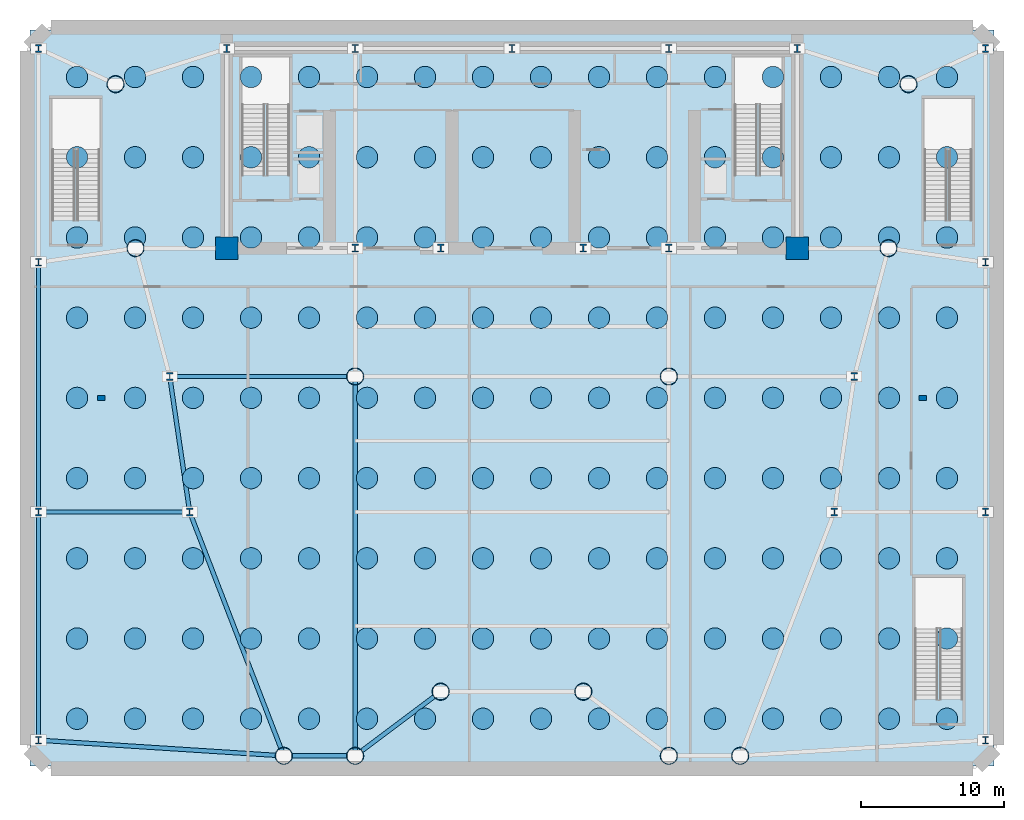
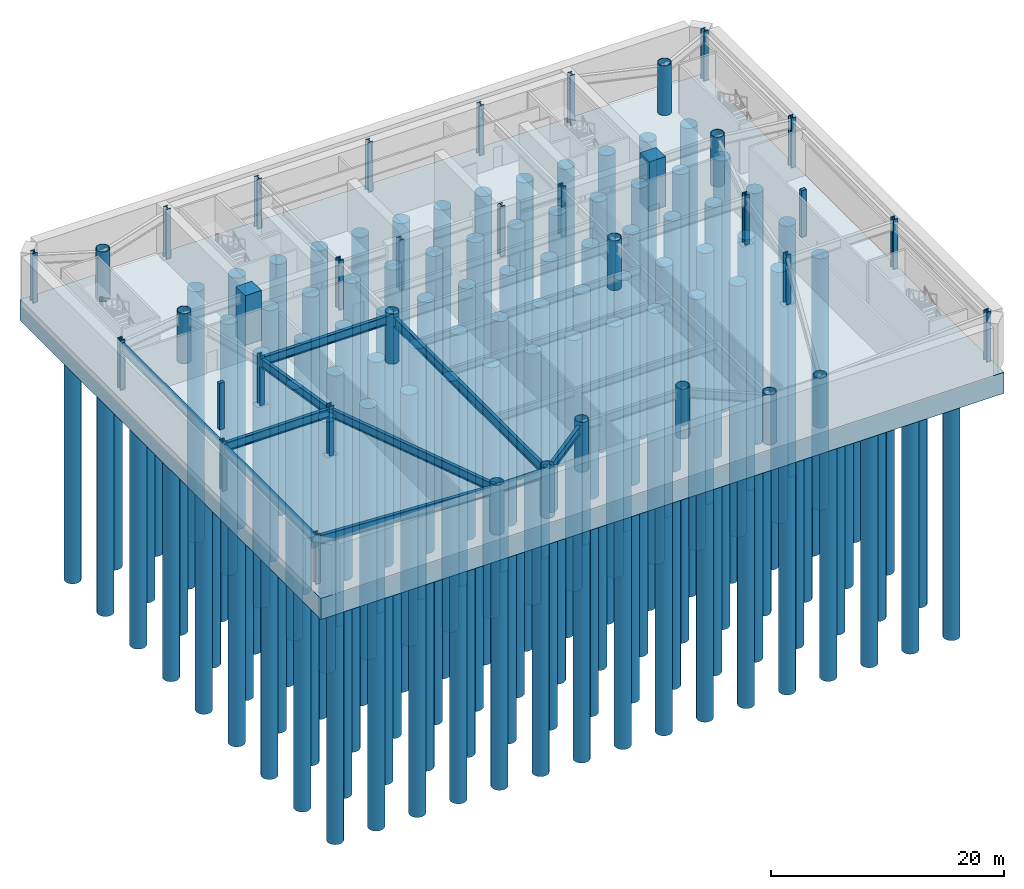
# One storey, part 1 of 11: 144 piles, 37 columns, 10 beams, 1 footing.
"""IFC4 building model written with IfcOpenShell, lengths in metres."""

from ifc_helpers import new_model, si_unit, direction, frame, origin, origin_2d, place, context, subcontext, project, spatial, rectangle, circle, hollow_circle, i_section, extrude, source, transform, mapped, material, material_profile, profile_set, type_object, element, save


model = new_model("IFC4")

# Units and contexts
model_context = context("Model", 3, precision=1e-05, world=origin(), true_north=direction((0.0, 1.0)))
body_context = subcontext(model_context, "Body", "Model", "MODEL_VIEW")
ifc_project = project(units=[si_unit("LENGTHUNIT", "METRE"), si_unit("AREAUNIT", "SQUARE_METRE"), si_unit("VOLUMEUNIT", "CUBIC_METRE"), si_unit("PLANEANGLEUNIT", "RADIAN"), si_unit("MASSUNIT", "GRAM", prefix="KILO")], contexts=[model_context])

# Site, building, storey
site_placement = place(None, origin())
site = spatial("IfcSite", under=ifc_project, at=site_placement, CompositionType="ELEMENT")
building_placement = place(site_placement, origin())
building = spatial("IfcBuilding", under=site, at=building_placement, Name="Vaeldorn Concourse Tower", CompositionType="ELEMENT")
storey_placement = place(building_placement, frame((0.0, 0.0, -15.60009765625)))
storey = spatial("IfcBuildingStorey", under=building, at=storey_placement, Name="B03", CompositionType="ELEMENT", Elevation=-15.60009765625)

# Piles
ifc_material_1 = material(Name="Concrete C50/60", Category="concrete")
ifc_material_profile_1 = material_profile(ifc_material_1, circle(Radius=0.75, at=origin_2d()), Name="BORED PILE D1500")
ifc_profile_set_1 = profile_set([ifc_material_profile_1], Name="Concrete C50/60")
pile_type = type_object("IfcPileType", Name="PILE-D1500", PredefinedType="BORED", material=ifc_profile_set_1)
for number, where, z_axis, x_axis, name in (
    (1, (3.5, 3.5, -2.5), (0.0, 0.0, -1.0), (1.0, 0.0, 0.0), "Bored Pile P001"),
    (2, (3.5, 9.125, -2.5), (0.0, 0.0, -1.0), (1.0, 0.0, 0.0), "Bored Pile P002"),
    (3, (3.5, 14.75, -2.5), (0.0, 0.0, -1.0), (1.0, 0.0, 0.0), "Bored Pile P003"),
    (4, (3.5, 20.375, -2.5), (0.0, 0.0, -1.0), (1.0, 0.0, 0.0), "Bored Pile P004"),
    (5, (3.5, 26.0, -2.5), (0.0, 0.0, -1.0), (1.0, 0.0, 0.0), "Bored Pile P005"),
    (6, (3.5, 31.625, -2.5), (0.0, 0.0, -1.0), (1.0, 0.0, 0.0), "Bored Pile P006"),
    (7, (3.5, 37.25, -2.5), (0.0, 0.0, -1.0), (1.0, 0.0, 0.0), "Bored Pile P007"),
    (8, (3.5, 42.875, -2.5), (0.0, 0.0, -1.0), (1.0, 0.0, 0.0), "Bored Pile P008"),
    (9, (3.5, 48.5, -2.5), (0.0, 0.0, -1.0), (1.0, 0.0, 0.0), "Bored Pile P009"),
    (10, (7.566650390625, 3.5, -2.5), (0.0, 0.0, -1.0), (1.0, 0.0, 0.0), "Bored Pile P010"),
    (11, (7.566650390625, 9.125, -2.5), (0.0, 0.0, -1.0), (1.0, 0.0, 0.0), "Bored Pile P011"),
    (12, (7.566650390625, 14.75, -2.5), (0.0, 0.0, -1.0), (1.0, 0.0, 0.0), "Bored Pile P012"),
    (13, (7.566650390625, 20.375, -2.5), (0.0, 0.0, -1.0), (1.0, 0.0, 0.0), "Bored Pile P013"),
    (14, (7.566650390625, 26.0, -2.5), (0.0, 0.0, -1.0), (1.0, 0.0, 0.0), "Bored Pile P014"),
    (15, (7.566650390625, 31.625, -2.5), (0.0, 0.0, -1.0), (1.0, 0.0, 0.0), "Bored Pile P015"),
    (16, (7.566650390625, 37.25, -2.5), (0.0, 0.0, -1.0), (1.0, 0.0, 0.0), "Bored Pile P016"),
    (17, (7.566650390625, 42.875, -2.5), (0.0, 0.0, -1.0), (1.0, 0.0, 0.0), "Bored Pile P017"),
    (18, (7.566650390625, 48.5, -2.5), (0.0, 0.0, -1.0), (1.0, 0.0, 0.0), "Bored Pile P018"),
    (19, (11.63330078125, 3.5, -2.5), (0.0, 0.0, -1.0), (1.0, 0.0, 0.0), "Bored Pile P019"),
    (20, (11.63330078125, 9.125, -2.5), (0.0, 0.0, -1.0), (1.0, 0.0, 0.0), "Bored Pile P020"),
    (21, (11.63330078125, 14.75, -2.5), (0.0, 0.0, -1.0), (1.0, 0.0, 0.0), "Bored Pile P021"),
    (22, (11.63330078125, 20.375, -2.5), (0.0, 0.0, -1.0), (1.0, 0.0, 0.0), "Bored Pile P022"),
    (23, (11.63330078125, 26.0, -2.5), (0.0, 0.0, -1.0), (1.0, 0.0, 0.0), "Bored Pile P023"),
    (24, (11.63330078125, 31.625, -2.5), (0.0, 0.0, -1.0), (1.0, 0.0, 0.0), "Bored Pile P024"),
    (25, (11.63330078125, 37.25, -2.5), (0.0, 0.0, -1.0), (1.0, 0.0, 0.0), "Bored Pile P025"),
    (26, (11.63330078125, 42.875, -2.5), (0.0, 0.0, -1.0), (1.0, 0.0, 0.0), "Bored Pile P026"),
    (27, (11.63330078125, 48.5, -2.5), (0.0, 0.0, -1.0), (1.0, 0.0, 0.0), "Bored Pile P027"),
    (28, (15.699951171875, 3.5, -2.5), (0.0, 0.0, -1.0), (1.0, 0.0, 0.0), "Bored Pile P028"),
    (29, (15.699951171875, 9.125, -2.5), (0.0, 0.0, -1.0), (1.0, 0.0, 0.0), "Bored Pile P029"),
    (30, (15.699951171875, 14.75, -2.5), (0.0, 0.0, -1.0), (1.0, 0.0, 0.0), "Bored Pile P030"),
    (31, (15.699951171875, 20.375, -2.5), (0.0, 0.0, -1.0), (1.0, 0.0, 0.0), "Bored Pile P031"),
    (32, (15.699951171875, 26.0, -2.5), (0.0, 0.0, -1.0), (1.0, 0.0, 0.0), "Bored Pile P032"),
    (33, (15.699951171875, 31.625, -2.5), (0.0, 0.0, -1.0), (1.0, 0.0, 0.0), "Bored Pile P033"),
    (34, (15.699951171875, 37.25, -2.5), (0.0, 0.0, -1.0), (1.0, 0.0, 0.0), "Bored Pile P034"),
    (35, (15.699951171875, 42.875, -2.5), (0.0, 0.0, -1.0), (1.0, 0.0, 0.0), "Bored Pile P035"),
    (36, (15.699951171875, 48.5, -2.5), (0.0, 0.0, -1.0), (1.0, 0.0, 0.0), "Bored Pile P036"),
    (37, (19.7666015625, 3.5, -2.5), (0.0, 0.0, -1.0), (1.0, 0.0, 0.0), "Bored Pile P037"),
    (38, (19.7666015625, 9.125, -2.5), (0.0, 0.0, -1.0), (1.0, 0.0, 0.0), "Bored Pile P038"),
    (39, (19.7666015625, 14.75, -2.5), (0.0, 0.0, -1.0), (1.0, 0.0, 0.0), "Bored Pile P039"),
    (40, (19.7666015625, 20.375, -2.5), (0.0, 0.0, -1.0), (1.0, 0.0, 0.0), "Bored Pile P040"),
    (41, (19.7666015625, 26.0, -2.5), (0.0, 0.0, -1.0), (1.0, 0.0, 0.0), "Bored Pile P041"),
    (42, (19.7666015625, 31.625, -2.5), (0.0, 0.0, -1.0), (1.0, 0.0, 0.0), "Bored Pile P042"),
    (43, (19.7666015625, 37.25, -2.5), (0.0, 0.0, -1.0), (1.0, 0.0, 0.0), "Bored Pile P043"),
    (44, (19.7666015625, 42.875, -2.5), (0.0, 0.0, -1.0), (1.0, 0.0, 0.0), "Bored Pile P044"),
    (45, (19.7666015625, 48.5, -2.5), (0.0, 0.0, -1.0), (1.0, 0.0, 0.0), "Bored Pile P045"),
    (46, (23.833251953125, 3.5, -2.5), (0.0, 0.0, -1.0), (1.0, 0.0, 0.0), "Bored Pile P046"),
    (47, (23.833251953125, 9.125, -2.5), (0.0, 0.0, -1.0), (1.0, 0.0, 0.0), "Bored Pile P047"),
    (48, (23.833251953125, 14.75, -2.5), (0.0, 0.0, -1.0), (1.0, 0.0, 0.0), "Bored Pile P048"),
    (49, (23.833251953125, 20.375, -2.5), (0.0, 0.0, -1.0), (1.0, 0.0, 0.0), "Bored Pile P049"),
    (50, (23.833251953125, 26.0, -2.5), (0.0, 0.0, -1.0), (1.0, 0.0, 0.0), "Bored Pile P050"),
    (51, (23.833251953125, 31.625, -2.5), (0.0, 0.0, -1.0), (1.0, 0.0, 0.0), "Bored Pile P051"),
    (52, (23.833251953125, 37.25, -2.5), (0.0, 0.0, -1.0), (1.0, 0.0, 0.0), "Bored Pile P052"),
    (53, (23.833251953125, 42.875, -2.5), (0.0, 0.0, -1.0), (1.0, 0.0, 0.0), "Bored Pile P053"),
    (54, (23.833251953125, 48.5, -2.5), (0.0, 0.0, -1.0), (1.0, 0.0, 0.0), "Bored Pile P054"),
    (55, (27.89990234375, 3.5, -2.5), (0.0, 0.0, -1.0), (1.0, 0.0, 0.0), "Bored Pile P055"),
    (56, (27.89990234375, 9.125, -2.5), (0.0, 0.0, -1.0), (1.0, 0.0, 0.0), "Bored Pile P056"),
    (57, (27.89990234375, 14.75, -2.5), (0.0, 0.0, -1.0), (1.0, 0.0, 0.0), "Bored Pile P057"),
    (58, (27.89990234375, 20.375, -2.5), (0.0, 0.0, -1.0), (1.0, 0.0, 0.0), "Bored Pile P058"),
    (59, (27.89990234375, 26.0, -2.5), (0.0, 0.0, -1.0), (1.0, 0.0, 0.0), "Bored Pile P059"),
    (60, (27.89990234375, 31.625, -2.5), (0.0, 0.0, -1.0), (1.0, 0.0, 0.0), "Bored Pile P060"),
    (61, (27.89990234375, 37.25, -2.5), (0.0, 0.0, -1.0), (1.0, 0.0, 0.0), "Bored Pile P061"),
    (62, (27.89990234375, 42.875, -2.5), (0.0, 0.0, -1.0), (1.0, 0.0, 0.0), "Bored Pile P062"),
    (63, (27.89990234375, 48.5, -2.5), (0.0, 0.0, -1.0), (1.0, 0.0, 0.0), "Bored Pile P063"),
    (64, (31.966796875, 3.5, -2.5), (0.0, 0.0, -1.0), (1.0, 0.0, 0.0), "Bored Pile P064"),
    (65, (31.966796875, 9.125, -2.5), (0.0, 0.0, -1.0), (1.0, 0.0, 0.0), "Bored Pile P065"),
    (66, (31.966796875, 14.75, -2.5), (0.0, 0.0, -1.0), (1.0, 0.0, 0.0), "Bored Pile P066"),
    (67, (31.966796875, 20.375, -2.5), (0.0, 0.0, -1.0), (1.0, 0.0, 0.0), "Bored Pile P067"),
    (68, (31.966796875, 26.0, -2.5), (0.0, 0.0, -1.0), (1.0, 0.0, 0.0), "Bored Pile P068"),
    (69, (31.966796875, 31.625, -2.5), (0.0, 0.0, -1.0), (1.0, 0.0, 0.0), "Bored Pile P069"),
    (70, (31.966796875, 37.25, -2.5), (0.0, 0.0, -1.0), (1.0, 0.0, 0.0), "Bored Pile P070"),
    (71, (31.966796875, 42.875, -2.5), (0.0, 0.0, -1.0), (1.0, 0.0, 0.0), "Bored Pile P071"),
    (72, (31.966796875, 48.5, -2.5), (0.0, 0.0, -1.0), (1.0, 0.0, 0.0), "Bored Pile P072"),
    (73, (36.033203125, 3.5, -2.5), (0.0, 0.0, -1.0), (1.0, 0.0, 0.0), "Bored Pile P073"),
    (74, (36.033203125, 9.125, -2.5), (0.0, 0.0, -1.0), (1.0, 0.0, 0.0), "Bored Pile P074"),
    (75, (36.033203125, 14.75, -2.5), (0.0, 0.0, -1.0), (1.0, 0.0, 0.0), "Bored Pile P075"),
    (76, (36.033203125, 20.375, -2.5), (0.0, 0.0, -1.0), (1.0, 0.0, 0.0), "Bored Pile P076"),
    (77, (36.033203125, 26.0, -2.5), (0.0, 0.0, -1.0), (1.0, 0.0, 0.0), "Bored Pile P077"),
    (78, (36.033203125, 31.625, -2.5), (0.0, 0.0, -1.0), (1.0, 0.0, 0.0), "Bored Pile P078"),
    (79, (36.033203125, 37.25, -2.5), (0.0, 0.0, -1.0), (1.0, 0.0, 0.0), "Bored Pile P079"),
    (80, (36.033203125, 42.875, -2.5), (0.0, 0.0, -1.0), (1.0, 0.0, 0.0), "Bored Pile P080"),
    (81, (36.033203125, 48.5, -2.5), (0.0, 0.0, -1.0), (1.0, 0.0, 0.0), "Bored Pile P081"),
    (82, (40.10009765625, 3.5, -2.5), (0.0, 0.0, -1.0), (1.0, 0.0, 0.0), "Bored Pile P082"),
    (83, (40.10009765625, 9.125, -2.5), (0.0, 0.0, -1.0), (1.0, 0.0, 0.0), "Bored Pile P083"),
    (84, (40.10009765625, 14.75, -2.5), (0.0, 0.0, -1.0), (1.0, 0.0, 0.0), "Bored Pile P084"),
    (85, (40.10009765625, 20.375, -2.5), (0.0, 0.0, -1.0), (1.0, 0.0, 0.0), "Bored Pile P085"),
    (86, (40.10009765625, 26.0, -2.5), (0.0, 0.0, -1.0), (1.0, 0.0, 0.0), "Bored Pile P086"),
    (87, (40.10009765625, 31.625, -2.5), (0.0, 0.0, -1.0), (1.0, 0.0, 0.0), "Bored Pile P087"),
    (88, (40.10009765625, 37.25, -2.5), (0.0, 0.0, -1.0), (1.0, 0.0, 0.0), "Bored Pile P088"),
    (89, (40.10009765625, 42.875, -2.5), (0.0, 0.0, -1.0), (1.0, 0.0, 0.0), "Bored Pile P089"),
    (90, (40.10009765625, 48.5, -2.5), (0.0, 0.0, -1.0), (1.0, 0.0, 0.0), "Bored Pile P090"),
    (91, (44.166748046875, 3.5, -2.5), (0.0, 0.0, -1.0), (1.0, 0.0, 0.0), "Bored Pile P091"),
    (92, (44.166748046875, 9.125, -2.5), (0.0, 0.0, -1.0), (1.0, 0.0, 0.0), "Bored Pile P092"),
    (93, (44.166748046875, 14.75, -2.5), (0.0, 0.0, -1.0), (1.0, 0.0, 0.0), "Bored Pile P093"),
    (94, (44.166748046875, 20.375, -2.5), (0.0, 0.0, -1.0), (1.0, 0.0, 0.0), "Bored Pile P094"),
    (95, (44.166748046875, 26.0, -2.5), (0.0, 0.0, -1.0), (1.0, 0.0, 0.0), "Bored Pile P095"),
    (96, (44.166748046875, 31.625, -2.5), (0.0, 0.0, -1.0), (1.0, 0.0, 0.0), "Bored Pile P096"),
    (97, (44.166748046875, 37.25, -2.5), (0.0, 0.0, -1.0), (1.0, 0.0, 0.0), "Bored Pile P097"),
    (98, (44.166748046875, 42.875, -2.5), (0.0, 0.0, -1.0), (1.0, 0.0, 0.0), "Bored Pile P098"),
    (99, (44.166748046875, 48.5, -2.5), (0.0, 0.0, -1.0), (1.0, 0.0, 0.0), "Bored Pile P099"),
    (100, (48.2333984375, 3.5, -2.5), (0.0, 0.0, -1.0), (1.0, 0.0, 0.0), "Bored Pile P100"),
    (101, (48.2333984375, 9.125, -2.5), (0.0, 0.0, -1.0), (1.0, 0.0, 0.0), "Bored Pile P101"),
    (102, (48.2333984375, 14.75, -2.5), (0.0, 0.0, -1.0), (1.0, 0.0, 0.0), "Bored Pile P102"),
    (103, (48.2333984375, 20.375, -2.5), (0.0, 0.0, -1.0), (1.0, 0.0, 0.0), "Bored Pile P103"),
    (104, (48.2333984375, 26.0, -2.5), (0.0, 0.0, -1.0), (1.0, 0.0, 0.0), "Bored Pile P104"),
    (105, (48.2333984375, 31.625, -2.5), (0.0, 0.0, -1.0), (1.0, 0.0, 0.0), "Bored Pile P105"),
    (106, (48.2333984375, 37.25, -2.5), (0.0, 0.0, -1.0), (1.0, 0.0, 0.0), "Bored Pile P106"),
    (107, (48.2333984375, 42.875, -2.5), (0.0, 0.0, -1.0), (1.0, 0.0, 0.0), "Bored Pile P107"),
    (108, (48.2333984375, 48.5, -2.5), (0.0, 0.0, -1.0), (1.0, 0.0, 0.0), "Bored Pile P108"),
    (109, (52.300048828125, 3.5, -2.5), (0.0, 0.0, -1.0), (1.0, 0.0, 0.0), "Bored Pile P109"),
    (110, (52.300048828125, 9.125, -2.5), (0.0, 0.0, -1.0), (1.0, 0.0, 0.0), "Bored Pile P110"),
    (111, (52.300048828125, 14.75, -2.5), (0.0, 0.0, -1.0), (1.0, 0.0, 0.0), "Bored Pile P111"),
    (112, (52.300048828125, 20.375, -2.5), (0.0, 0.0, -1.0), (1.0, 0.0, 0.0), "Bored Pile P112"),
    (113, (52.300048828125, 26.0, -2.5), (0.0, 0.0, -1.0), (1.0, 0.0, 0.0), "Bored Pile P113"),
    (114, (52.300048828125, 31.625, -2.5), (0.0, 0.0, -1.0), (1.0, 0.0, 0.0), "Bored Pile P114"),
    (115, (52.300048828125, 37.25, -2.5), (0.0, 0.0, -1.0), (1.0, 0.0, 0.0), "Bored Pile P115"),
    (116, (52.300048828125, 42.875, -2.5), (0.0, 0.0, -1.0), (1.0, 0.0, 0.0), "Bored Pile P116"),
    (117, (52.300048828125, 48.5, -2.5), (0.0, 0.0, -1.0), (1.0, 0.0, 0.0), "Bored Pile P117"),
    (118, (56.36669921875, 3.5, -2.5), (0.0, 0.0, -1.0), (1.0, 0.0, 0.0), "Bored Pile P118"),
    (119, (56.36669921875, 9.125, -2.5), (0.0, 0.0, -1.0), (1.0, 0.0, 0.0), "Bored Pile P119"),
    (120, (56.36669921875, 14.75, -2.5), (0.0, 0.0, -1.0), (1.0, 0.0, 0.0), "Bored Pile P120"),
    (121, (56.36669921875, 20.375, -2.5), (0.0, 0.0, -1.0), (1.0, 0.0, 0.0), "Bored Pile P121"),
    (122, (56.36669921875, 26.0, -2.5), (0.0, 0.0, -1.0), (1.0, 0.0, 0.0), "Bored Pile P122"),
    (123, (56.36669921875, 31.625, -2.5), (0.0, 0.0, -1.0), (1.0, 0.0, 0.0), "Bored Pile P123"),
    (124, (56.36669921875, 37.25, -2.5), (0.0, 0.0, -1.0), (1.0, 0.0, 0.0), "Bored Pile P124"),
    (125, (56.36669921875, 42.875, -2.5), (0.0, 0.0, -1.0), (1.0, 0.0, 0.0), "Bored Pile P125"),
    (126, (56.36669921875, 48.5, -2.5), (0.0, 0.0, -1.0), (1.0, 0.0, 0.0), "Bored Pile P126"),
    (127, (60.433349609375, 3.5, -2.5), (0.0, 0.0, -1.0), (1.0, 0.0, 0.0), "Bored Pile P127"),
    (128, (60.433349609375, 9.125, -2.5), (0.0, 0.0, -1.0), (1.0, 0.0, 0.0), "Bored Pile P128"),
    (129, (60.433349609375, 14.75, -2.5), (0.0, 0.0, -1.0), (1.0, 0.0, 0.0), "Bored Pile P129"),
    (130, (60.433349609375, 20.375, -2.5), (0.0, 0.0, -1.0), (1.0, 0.0, 0.0), "Bored Pile P130"),
    (131, (60.433349609375, 26.0, -2.5), (0.0, 0.0, -1.0), (1.0, 0.0, 0.0), "Bored Pile P131"),
    (132, (60.433349609375, 31.625, -2.5), (0.0, 0.0, -1.0), (1.0, 0.0, 0.0), "Bored Pile P132"),
    (133, (60.433349609375, 37.25, -2.5), (0.0, 0.0, -1.0), (1.0, 0.0, 0.0), "Bored Pile P133"),
    (134, (60.433349609375, 42.875, -2.5), (0.0, 0.0, -1.0), (1.0, 0.0, 0.0), "Bored Pile P134"),
    (135, (60.433349609375, 48.5, -2.5), (0.0, 0.0, -1.0), (1.0, 0.0, 0.0), "Bored Pile P135"),
    (136, (64.5, 3.5, -2.5), (0.0, 0.0, -1.0), (1.0, 0.0, 0.0), "Bored Pile P136"),
    (137, (64.5, 9.125, -2.5), (0.0, 0.0, -1.0), (1.0, 0.0, 0.0), "Bored Pile P137"),
    (138, (64.5, 14.75, -2.5), (0.0, 0.0, -1.0), (1.0, 0.0, 0.0), "Bored Pile P138"),
    (139, (64.5, 20.375, -2.5), (0.0, 0.0, -1.0), (1.0, 0.0, 0.0), "Bored Pile P139"),
    (140, (64.5, 26.0, -2.5), (0.0, 0.0, -1.0), (1.0, 0.0, 0.0), "Bored Pile P140"),
    (141, (64.5, 31.625, -2.5), (0.0, 0.0, -1.0), (1.0, 0.0, 0.0), "Bored Pile P141"),
    (142, (64.5, 37.25, -2.5), (0.0, 0.0, -1.0), (1.0, 0.0, 0.0), "Bored Pile P142"),
    (143, (64.5, 42.875, -2.5), (0.0, 0.0, -1.0), (1.0, 0.0, 0.0), "Bored Pile P143"),
    (144, (64.5, 48.5, -2.5), (0.0, 0.0, -1.0), (1.0, 0.0, 0.0), "Bored Pile P144"),
):
    element("IfcPile", number, at=place(storey_placement, frame(where, z_axis=z_axis, x_axis=x_axis)), inside=storey, type_object=pile_type, Name=name, PredefinedType="BORED", context=body_context, shape_type="SweptSolid", body=[
        extrude(circle(Radius=0.75, at=origin_2d()), origin(), (0.0, 0.0, 1.0), 26.300048828125),
    ])

# Footing
footing_type = type_object("IfcFootingType", Name="FT-RAFT-2200", PredefinedType="PILE_CAP", material=ifc_material_1)
shared_shape_1 = source(origin(), body_context, "Body", "SweptSolid", [
    extrude(rectangle(XDim=67.60009765625, YDim=51.60009765625, at=origin_2d()), origin(), (0.0, 0.0, 1.0), 2.199951171875),
])
footing_placement = place(storey_placement, frame((34.0, 26.0, -2.60009765625), z_axis=(0.0, 0.0, 1.0), x_axis=(1.0, 0.0, 0.0)))
element("IfcFooting", 145, at=footing_placement, inside=storey, type_object=footing_type, Name="Substructure Piled Foundation Raft", PredefinedType="PILE_CAP", context=body_context, shape_type="MappedRepresentation", body=[
    mapped(shared_shape_1, transform((0.0, 0.0, 0.0), scale=1.0)),
])

# Columns
ifc_material_2 = material(Name="Concrete C60/75", Category="concrete")
ifc_material_profile_2 = material_profile(ifc_material_2, rectangle(XDim=1.60009765625, YDim=1.60009765625, at=origin_2d()), Name="RC 1600x1600")
ifc_profile_set_2 = profile_set([ifc_material_profile_2], Name="Concrete C60/75")
column_type_1 = type_object("IfcColumnType", Name="COL-RC1600", PredefinedType="COLUMN", material=ifc_profile_set_2)
shared_shape_2 = source(origin(), body_context, "Body", "SweptSolid", [
    extrude(rectangle(XDim=1.60009765625, YDim=1.60009765625, at=origin_2d()), origin(), (0.0, 0.0, 1.0), 5.2001953125),
])
for number, where, z_axis, x_axis, name in (
    (146, (14.0, 36.5, 0.0), (0.0, 0.0, 1.0), (1.0, 0.0, 0.0), "Column C-FC1 B03"),
    (147, (54.0, 36.5, 0.0), (0.0, 0.0, 1.0), (1.0, 0.0, 0.0), "Column C-FC6 B03"),
):
    element("IfcColumn", number, at=place(storey_placement, frame(where, z_axis=z_axis, x_axis=x_axis)), inside=storey, type_object=column_type_1, Name=name, PredefinedType="COLUMN", context=body_context, shape_type="MappedRepresentation", body=[
        mapped(shared_shape_2, transform((0.0, 0.0, 0.0), scale=1.0)),
    ])
ifc_material_3 = material(Name="Steel S460", Category="steel")
ifc_material_profile_3 = material_profile(ifc_material_3, i_section(OverallWidth=0.4541015625, OverallDepth=0.569091796875, WebThickness=0.077880859375, FlangeThickness=0.080078125, FilletRadius=0.014892578125, at=origin_2d()), Name="HD 400x1086")
ifc_profile_set_3 = profile_set([ifc_material_profile_3], Name="Steel S460")
column_type_2 = type_object("IfcColumnType", Name="COL-HD1086", PredefinedType="COLUMN", material=ifc_profile_set_3)
shared_shape_3 = source(origin(), body_context, "Body", "SweptSolid", [
    extrude(i_section(OverallWidth=0.4541015625, OverallDepth=0.569091796875, WebThickness=0.077880859375, FlangeThickness=0.080078125, FilletRadius=0.014892578125, at=origin_2d()), origin(), (0.0, 0.0, 1.0), 5.2001953125),
])
for number, where, z_axis, x_axis, name in (
    (148, (23.0, 36.5, 0.0), (0.0, 0.0, 1.0), (1.0, 0.0, 0.0), "Column C-FC2 B03"),
    (149, (29.0, 36.5, 0.0), (0.0, 0.0, 1.0), (1.0, 0.0, 0.0), "Column C-FC3 B03"),
    (150, (39.0, 36.5, 0.0), (0.0, 0.0, 1.0), (1.0, 0.0, 0.0), "Column C-FC4 B03"),
    (151, (45.0, 36.5, 0.0), (0.0, 0.0, 1.0), (1.0, 0.0, 0.0), "Column C-FC5 B03"),
    (152, (14.0, 50.5, 0.0), (0.0, 0.0, 1.0), (1.0, 0.0, 0.0), "Column C-HC1 B03"),
    (153, (23.0, 50.5, 0.0), (0.0, 0.0, 1.0), (1.0, 0.0, 0.0), "Column C-HC2 B03"),
    (154, (34.0, 50.5, 0.0), (0.0, 0.0, 1.0), (1.0, 0.0, 0.0), "Column C-HC3 B03"),
    (155, (45.0, 50.5, 0.0), (0.0, 0.0, 1.0), (1.0, 0.0, 0.0), "Column C-HC4 B03"),
    (156, (54.0, 50.5, 0.0), (0.0, 0.0, 1.0), (1.0, 0.0, 0.0), "Column C-HC5 B03"),
):
    element("IfcColumn", number, at=place(storey_placement, frame(where, z_axis=z_axis, x_axis=x_axis)), inside=storey, type_object=column_type_2, Name=name, PredefinedType="COLUMN", context=body_context, shape_type="MappedRepresentation", body=[
        mapped(shared_shape_3, transform((0.0, 0.0, 0.0), scale=1.0)),
    ])
ifc_material_profile_4 = material_profile(ifc_material_3, hollow_circle(Radius=0.609619140625, WallThickness=0.050048828125, at=origin_2d()), Name="CHS 1219x50")
ifc_profile_set_4 = profile_set([ifc_material_profile_4], Name="Steel S460")
column_type_3 = type_object("IfcColumnType", Name="COL-CHS1219", PredefinedType="COLUMN", material=ifc_profile_set_4)
shared_shape_4 = source(origin(), body_context, "Body", "SweptSolid", [
    extrude(hollow_circle(Radius=0.609619140625, WallThickness=0.050048828125, at=origin_2d()), origin(), (0.0, 0.0, 1.0), 5.2001953125),
])
for number, where, z_axis, x_axis, name in (
    (157, (6.199951171875, 48.0, 0.0), (0.0, 0.0, 1.0), (1.0, 0.0, 0.0), "Column C-NW1 B03"),
    (158, (7.60009765625, 36.5, 0.0), (0.0, 0.0, 1.0), (1.0, 0.0, 0.0), "Column C-NW2 B03"),
    (159, (61.800048828125, 48.0, 0.0), (0.0, 0.0, 1.0), (1.0, 0.0, 0.0), "Column C-NE1 B03"),
    (160, (60.39990234375, 36.5, 0.0), (0.0, 0.0, 1.0), (1.0, 0.0, 0.0), "Column C-NE2 B03"),
    (161, (18.0, 0.89990234375, 0.0), (0.0, 0.0, 1.0), (1.0, 0.0, 0.0), "Column C-SM1 B03"),
    (162, (23.0, 0.89990234375, 0.0), (0.0, 0.0, 1.0), (1.0, 0.0, 0.0), "Column C-SM2 B03"),
    (163, (29.0, 5.39990234375, 0.0), (0.0, 0.0, 1.0), (1.0, 0.0, 0.0), "Column C-SM3 B03"),
    (164, (39.0, 5.39990234375, 0.0), (0.0, 0.0, 1.0), (1.0, 0.0, 0.0), "Column C-SM4 B03"),
    (165, (45.0, 0.89990234375, 0.0), (0.0, 0.0, 1.0), (1.0, 0.0, 0.0), "Column C-SM5 B03"),
    (166, (50.0, 0.89990234375, 0.0), (0.0, 0.0, 1.0), (1.0, 0.0, 0.0), "Column C-SM6 B03"),
    (167, (23.0, 27.5, 0.0), (0.0, 0.0, 1.0), (1.0, 0.0, 0.0), "Column C-TW1 B03"),
    (168, (45.0, 27.5, 0.0), (0.0, 0.0, 1.0), (1.0, 0.0, 0.0), "Column C-TW4 B03"),
):
    element("IfcColumn", number, at=place(storey_placement, frame(where, z_axis=z_axis, x_axis=x_axis)), inside=storey, type_object=column_type_3, Name=name, PredefinedType="COLUMN", context=body_context, shape_type="MappedRepresentation", body=[
        mapped(shared_shape_4, transform((0.0, 0.0, 0.0), scale=1.0)),
    ])
ifc_material_profile_5 = material_profile(ifc_material_3, i_section(OverallWidth=0.44189453125, OverallDepth=0.531005859375, WebThickness=0.06494140625, FlangeThickness=0.075927734375, FilletRadius=0.014892578125, at=origin_2d()), Name="HD 400x900")
ifc_profile_set_5 = profile_set([ifc_material_profile_5], Name="Steel S460")
column_type_4 = type_object("IfcColumnType", Name="COL-HD900F", PredefinedType="COLUMN", material=ifc_profile_set_5)
shared_shape_5 = source(origin(), body_context, "Body", "SweptSolid", [
    extrude(i_section(OverallWidth=0.44189453125, OverallDepth=0.531005859375, WebThickness=0.06494140625, FlangeThickness=0.075927734375, FilletRadius=0.014892578125, at=origin_2d()), origin(), (0.0, 0.0, 1.0), 5.2001953125),
])
for number, where, z_axis, x_axis, name in (
    (169, (0.800048828125, 2.0, 0.0), (0.0, 0.0, 1.0), (1.0, 0.0, 0.0), "Column C-PW1 B03"),
    (170, (0.800048828125, 18.0, 0.0), (0.0, 0.0, 1.0), (1.0, 0.0, 0.0), "Column C-PW2 B03"),
    (171, (0.800048828125, 35.5, 0.0), (0.0, 0.0, 1.0), (1.0, 0.0, 0.0), "Column C-PW3 B03"),
    (172, (0.800048828125, 50.5, 0.0), (0.0, 0.0, 1.0), (1.0, 0.0, 0.0), "Column C-PW4 B03"),
    (173, (67.199951171875, 2.0, 0.0), (0.0, 0.0, 1.0), (1.0, 0.0, 0.0), "Column C-PE1 B03"),
    (174, (67.199951171875, 18.0, 0.0), (0.0, 0.0, 1.0), (1.0, 0.0, 0.0), "Column C-PE2 B03"),
    (175, (67.199951171875, 35.5, 0.0), (0.0, 0.0, 1.0), (1.0, 0.0, 0.0), "Column C-PE3 B03"),
    (176, (67.199951171875, 50.5, 0.0), (0.0, 0.0, 1.0), (1.0, 0.0, 0.0), "Column C-PE4 B03"),
    (177, (10.0, 27.5, 0.0), (0.0, 0.0, 1.0), (1.0, 0.0, 0.0), "Column C-FLW1 B03"),
    (178, (11.39990234375, 18.0, 0.0), (0.0, 0.0, 1.0), (1.0, 0.0, 0.0), "Column C-FLW2 B03"),
    (179, (58.0, 27.5, 0.0), (0.0, 0.0, 1.0), (1.0, 0.0, 0.0), "Column C-FLE1 B03"),
    (180, (56.60009765625, 18.0, 0.0), (0.0, 0.0, 1.0), (1.0, 0.0, 0.0), "Column C-FLE2 B03"),
):
    element("IfcColumn", number, at=place(storey_placement, frame(where, z_axis=z_axis, x_axis=x_axis)), inside=storey, type_object=column_type_4, Name=name, PredefinedType="COLUMN", context=body_context, shape_type="MappedRepresentation", body=[
        mapped(shared_shape_5, transform((0.0, 0.0, 0.0), scale=1.0)),
    ])
ifc_material_profile_6 = material_profile(ifc_material_1, rectangle(XDim=0.5, YDim=0.35009765625, at=origin_2d()), Name="RC 500x350")
ifc_profile_set_6 = profile_set([ifc_material_profile_6], Name="Concrete C50/60")
column_type_5 = type_object("IfcColumnType", Name="PIL-RC500x350", PredefinedType="PILASTER", material=ifc_profile_set_6)
shared_shape_6 = source(origin(), body_context, "Body", "SweptSolid", [
    extrude(rectangle(XDim=0.5, YDim=0.35009765625, at=origin_2d()), origin(), (0.0, 0.0, 1.0), 4.880126953125),
])
for number, where, z_axis, x_axis, name in (
    (181, (5.199951171875, 26.0, 0.0), (0.0, 0.0, 1.0), (1.0, 0.0, 0.0), "Concourse Structural Pilaster B03-W"),
    (182, (62.800048828125, 26.0, 0.0), (0.0, 0.0, 1.0), (1.0, 0.0, 0.0), "Concourse Structural Pilaster B03-E"),
):
    element("IfcColumn", number, at=place(storey_placement, frame(where, z_axis=z_axis, x_axis=x_axis)), inside=storey, type_object=column_type_5, Name=name, PredefinedType="PILASTER", context=body_context, shape_type="MappedRepresentation", body=[
        mapped(shared_shape_6, transform((0.0, 0.0, 0.0), scale=1.0)),
    ])

# Beams
ifc_material_4 = material(Name="Steel S355", Category="steel")
ifc_material_profile_7 = material_profile(ifc_material_4, i_section(OverallWidth=0.302001953125, OverallDepth=0.909912109375, WebThickness=0.02099609375, FlangeThickness=0.0400390625, FilletRadius=0.030029296875, at=origin_2d()), Name="HEM 900")
ifc_profile_set_7 = profile_set([ifc_material_profile_7], Name="Steel S355")
beam_type_1 = type_object("IfcBeamType", Name="BM-PG-HEM900", PredefinedType="BEAM", material=ifc_profile_set_7)
shared_shape_7 = source(origin(), body_context, "Body", "SweptSolid", [
    extrude(i_section(OverallWidth=0.302001953125, OverallDepth=0.909912109375, WebThickness=0.02099609375, FlangeThickness=0.0400390625, FilletRadius=0.030029296875, at=origin_2d()), origin(), (0.0, 0.0, 1.0), 16.0),
])
beam_1_placement = place(storey_placement, frame((0.800048828125, 2.0, 4.425048828125), z_axis=(0.0, 1.0, 0.0), x_axis=(-1.0, 0.0, 0.0)))
element("IfcBeam", 183, at=beam_1_placement, inside=storey, type_object=beam_type_1, Name="Beam BM-B03-C-PW1-C-PW2", PredefinedType="BEAM", context=body_context, shape_type="MappedRepresentation", body=[
    mapped(shared_shape_7, transform((0.0, 0.0, 0.0), scale=1.0)),
])
shared_shape_8 = source(origin(), body_context, "Body", "SweptSolid", [
    extrude(i_section(OverallWidth=0.302001953125, OverallDepth=0.909912109375, WebThickness=0.02099609375, FlangeThickness=0.0400390625, FilletRadius=0.030029296875, at=origin_2d()), origin(), (0.0, 0.0, 1.0), 17.5),
])
beam_2_placement = place(storey_placement, frame((0.800048828125, 18.0, 4.425048828125), z_axis=(0.0, 1.0, 0.0), x_axis=(-1.0, 0.0, 0.0)))
element("IfcBeam", 184, at=beam_2_placement, inside=storey, type_object=beam_type_1, Name="Beam BM-B03-C-PW2-C-PW3", PredefinedType="BEAM", context=body_context, shape_type="MappedRepresentation", body=[
    mapped(shared_shape_8, transform((0.0, 0.0, 0.0), scale=1.0)),
])
shared_shape_9 = source(origin(), body_context, "Body", "SweptSolid", [
    extrude(i_section(OverallWidth=0.302001953125, OverallDepth=0.909912109375, WebThickness=0.02099609375, FlangeThickness=0.0400390625, FilletRadius=0.030029296875, at=origin_2d()), origin(), (0.0, 0.0, 1.0), 5.0),
])
beam_3_placement = place(storey_placement, frame((18.0, 0.89990234375, 4.425048828125), z_axis=(1.0, 0.0, 0.0), x_axis=(0.0, 1.0, 0.0)))
element("IfcBeam", 185, at=beam_3_placement, inside=storey, type_object=beam_type_1, Name="Beam BM-B03-C-SM1-C-SM2", PredefinedType="BEAM", context=body_context, shape_type="MappedRepresentation", body=[
    mapped(shared_shape_9, transform((0.0, 0.0, 0.0), scale=1.0)),
])
shared_shape_10 = source(origin(), body_context, "Body", "SweptSolid", [
    extrude(i_section(OverallWidth=0.302001953125, OverallDepth=0.909912109375, WebThickness=0.02099609375, FlangeThickness=0.0400390625, FilletRadius=0.030029296875, at=origin_2d()), origin(), (0.0, 0.0, 1.0), 7.5),
])
beam_4_placement = place(storey_placement, frame((23.0, 0.89990234375, 4.425048828125), z_axis=(0.8, 0.6, 0.0), x_axis=(-0.6, 0.8, 0.0)))
element("IfcBeam", 186, at=beam_4_placement, inside=storey, type_object=beam_type_1, Name="Beam BM-B03-C-SM2-C-SM3", PredefinedType="BEAM", context=body_context, shape_type="MappedRepresentation", body=[
    mapped(shared_shape_10, transform((0.0, 0.0, 0.0), scale=1.0)),
])
shared_shape_11 = source(origin(), body_context, "Body", "SweptSolid", [
    extrude(i_section(OverallWidth=0.302001953125, OverallDepth=0.909912109375, WebThickness=0.02099609375, FlangeThickness=0.0400390625, FilletRadius=0.030029296875, at=origin_2d()), origin(), (0.0, 0.0, 1.0), 17.235107421875),
])
beam_5_placement = place(storey_placement, frame((0.800048828125, 2.0, 4.425048828125), z_axis=(0.997960855094, -0.063828925254, 0.0), x_axis=(0.063828925254, 0.997960855094, 0.0)))
element("IfcBeam", 187, at=beam_5_placement, inside=storey, type_object=beam_type_1, Name="Beam BM-B03-C-PW1-C-SM1", PredefinedType="BEAM", context=body_context, shape_type="MappedRepresentation", body=[
    mapped(shared_shape_11, transform((0.0, 0.0, 0.0), scale=1.0)),
])
shared_shape_12 = source(origin(), body_context, "Body", "SweptSolid", [
    extrude(i_section(OverallWidth=0.302001953125, OverallDepth=0.909912109375, WebThickness=0.02099609375, FlangeThickness=0.0400390625, FilletRadius=0.030029296875, at=origin_2d()), origin(), (0.0, 0.0, 1.0), 9.6025390625),
])
beam_6_placement = place(storey_placement, frame((10.0, 27.5, 4.425048828125), z_axis=(0.145783835977, -0.989316467652, 0.0), x_axis=(0.989316467652, 0.145783835977, 0.0)))
element("IfcBeam", 188, at=beam_6_placement, inside=storey, type_object=beam_type_1, Name="Beam BM-B03-C-FLW1-C-FLW2", PredefinedType="BEAM", context=body_context, shape_type="MappedRepresentation", body=[
    mapped(shared_shape_12, transform((0.0, 0.0, 0.0), scale=1.0)),
])
shared_shape_13 = source(origin(), body_context, "Body", "SweptSolid", [
    extrude(i_section(OverallWidth=0.302001953125, OverallDepth=0.909912109375, WebThickness=0.02099609375, FlangeThickness=0.0400390625, FilletRadius=0.030029296875, at=origin_2d()), origin(), (0.0, 0.0, 1.0), 18.32958984375),
])
beam_7_placement = place(storey_placement, frame((11.39990234375, 18.0, 4.425048828125), z_axis=(0.36007844134, -0.932922031084, 0.0), x_axis=(0.932922031084, 0.36007844134, 0.0)))
element("IfcBeam", 189, at=beam_7_placement, inside=storey, type_object=beam_type_1, Name="Beam BM-B03-C-FLW2-C-SM1", PredefinedType="BEAM", context=body_context, shape_type="MappedRepresentation", body=[
    mapped(shared_shape_13, transform((0.0, 0.0, 0.0), scale=1.0)),
])
ifc_material_profile_8 = material_profile(ifc_material_3, i_section(OverallWidth=0.302001953125, OverallDepth=1.008056640625, WebThickness=0.02099609375, FlangeThickness=0.0400390625, FilletRadius=0.030029296875, at=origin_2d()), Name="HEM 1000")
ifc_profile_set_8 = profile_set([ifc_material_profile_8], Name="Steel S460")
beam_type_2 = type_object("IfcBeamType", Name="BM-TG-HEM1000", PredefinedType="BEAM", material=ifc_profile_set_8)
shared_shape_14 = source(origin(), body_context, "Body", "SweptSolid", [
    extrude(i_section(OverallWidth=0.302001953125, OverallDepth=1.008056640625, WebThickness=0.02099609375, FlangeThickness=0.0400390625, FilletRadius=0.030029296875, at=origin_2d()), origin(), (0.0, 0.0, 1.0), 26.60009765625),
])
beam_8_placement = place(storey_placement, frame((23.0, 0.89990234375, 4.3759765625), z_axis=(0.0, 1.0, 0.0), x_axis=(-1.0, 0.0, 0.0)))
element("IfcBeam", 190, at=beam_8_placement, inside=storey, type_object=beam_type_2, Name="Beam BM-B03-C-SM2-C-TW1", PredefinedType="BEAM", context=body_context, shape_type="MappedRepresentation", body=[
    mapped(shared_shape_14, transform((0.0, 0.0, 0.0), scale=1.0)),
])
shared_shape_15 = source(origin(), body_context, "Body", "SweptSolid", [
    extrude(i_section(OverallWidth=0.302001953125, OverallDepth=0.909912109375, WebThickness=0.02099609375, FlangeThickness=0.0400390625, FilletRadius=0.030029296875, at=origin_2d()), origin(), (0.0, 0.0, 1.0), 13.0),
])
beam_9_placement = place(storey_placement, frame((10.0, 27.5, 4.425048828125), z_axis=(1.0, 0.0, 0.0), x_axis=(0.0, 1.0, 0.0)))
element("IfcBeam", 191, at=beam_9_placement, inside=storey, type_object=beam_type_1, Name="Beam BM-B03-C-FLW1-C-TW1", PredefinedType="BEAM", context=body_context, shape_type="MappedRepresentation", body=[
    mapped(shared_shape_15, transform((0.0, 0.0, 0.0), scale=1.0)),
])
shared_shape_16 = source(origin(), body_context, "Body", "SweptSolid", [
    extrude(i_section(OverallWidth=0.302001953125, OverallDepth=0.909912109375, WebThickness=0.02099609375, FlangeThickness=0.0400390625, FilletRadius=0.030029296875, at=origin_2d()), origin(), (0.0, 0.0, 1.0), 10.599853515625),
])
beam_10_placement = place(storey_placement, frame((0.800048828125, 18.0, 4.425048828125), z_axis=(1.0, 0.0, 0.0), x_axis=(0.0, 1.0, 0.0)))
element("IfcBeam", 192, at=beam_10_placement, inside=storey, type_object=beam_type_1, Name="Beam BM-B03-C-PW2-C-FLW2", PredefinedType="BEAM", context=body_context, shape_type="MappedRepresentation", body=[
    mapped(shared_shape_16, transform((0.0, 0.0, 0.0), scale=1.0)),
])

save(model, "model.ifc")
